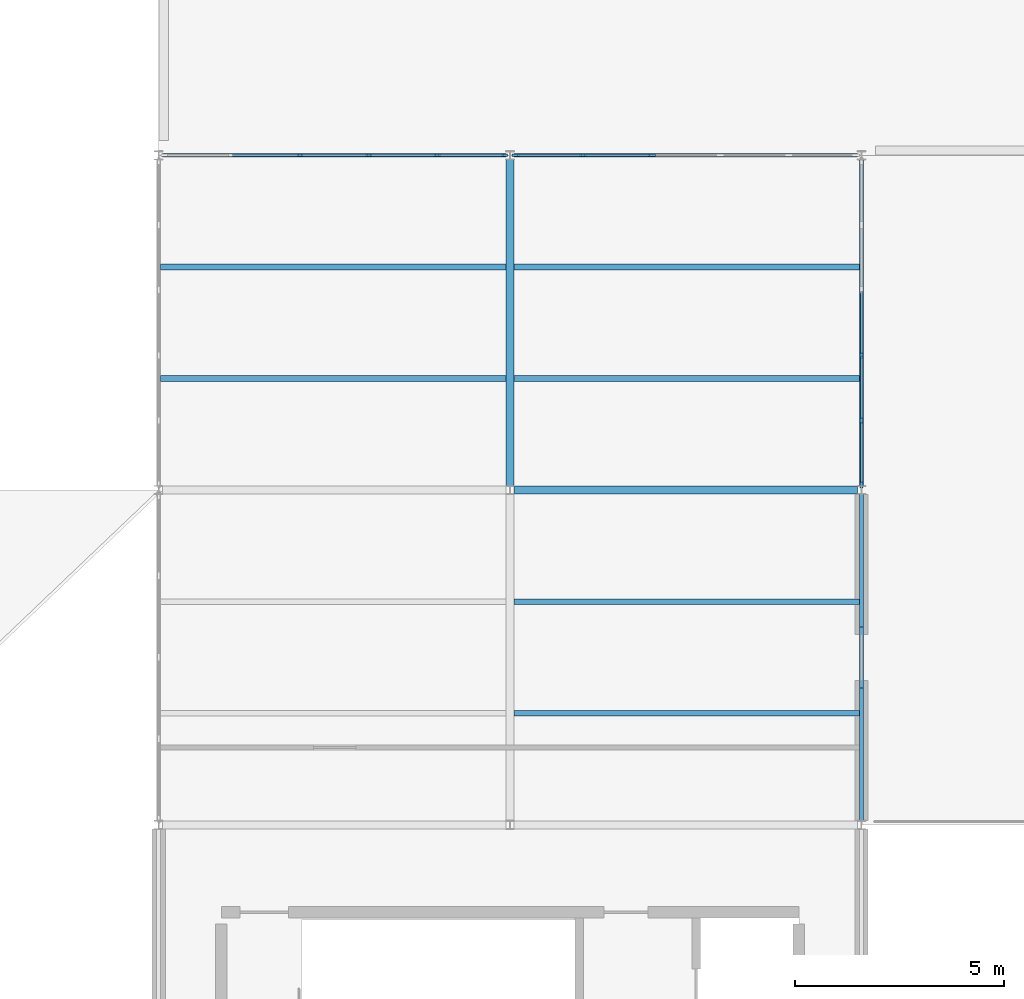
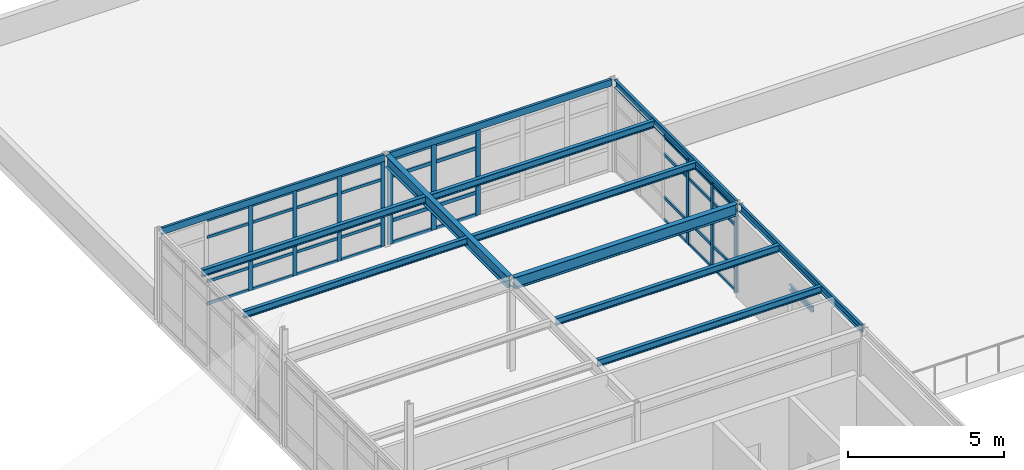
# One storey, part 17 of 32: 46 members, 13 beams, 3 elements without a shape of their own.
"""IFC4 building model written with IfcOpenShell, lengths in metres."""

from ifc_helpers import new_model, si_unit, direction, frame, origin, origin_2d, place, context, subcontext, project, spatial, rectangle, i_section, u_section, extrude, material, layer, layer_set, material_profile, profile_set, type_object, element, aggregate, save


model = new_model("IFC4")

# Units and contexts
model_context = context("Model", 3, precision=1e-05, world=origin(), true_north=direction((0.0, 1.0)))
body_context = subcontext(model_context, "Body", "Model", "MODEL_VIEW")
ifc_project = project(units=[si_unit("LENGTHUNIT", "METRE"), si_unit("AREAUNIT", "SQUARE_METRE"), si_unit("VOLUMEUNIT", "CUBIC_METRE"), si_unit("PLANEANGLEUNIT", "RADIAN"), si_unit("MASSUNIT", "GRAM", prefix="KILO")], contexts=[model_context])

# Site, building, storey
site_placement = place(None, origin())
site = spatial("IfcSite", under=ifc_project, at=site_placement, CompositionType="ELEMENT")
building_placement = place(site_placement, origin())
building = spatial("IfcBuilding", under=site, at=building_placement, Name="Kranzveld Transit Interchange", CompositionType="ELEMENT")
storey_placement = place(building_placement, frame((0.0, 0.0, 17.199951171875)))
storey = spatial("IfcBuildingStorey", under=building, at=storey_placement, Name="L04", CompositionType="ELEMENT", Elevation=17.199951171875)

# Beams
ifc_material_1 = material(Name="Steel S355JR", Category="steel")
ifc_material_profile_1 = material_profile(ifc_material_1, i_section(OverallWidth=0.18994140625, OverallDepth=0.453369140625, WebThickness=0.008544921875, FlangeThickness=0.0126953125, FilletRadius=0.01025390625, at=origin_2d()), Name="UB 457x191x67")
ifc_profile_set_1 = profile_set([ifc_material_profile_1], Name="Steel S355JR")
beam_type_1 = type_object("IfcBeamType", Name="Beam Steel UB 457x191x67 S355JR", PredefinedType="BEAM", material=ifc_profile_set_1)
beam_1_placement = place(storey_placement, frame((109.29296875, 88.0, 3.36328125), z_axis=(1.0, 0.0, 0.0), x_axis=(0.0, 1.0, 0.0)))
element("IfcBeam", 1, at=beam_1_placement, inside=storey, type_object=beam_type_1, Name="L04 Girder 14-15/M", PredefinedType="BEAM", context=body_context, shape_type="SweptSolid", body=[
    extrude(i_section(OverallWidth=0.18994140625, OverallDepth=0.453369140625, WebThickness=0.008544921875, FlangeThickness=0.0126953125, FilletRadius=0.01025390625, at=origin_2d()), origin(), (0.0, 0.0, 1.0), 8.214111328125),
])
beam_2_placement = place(storey_placement, frame((109.199951171875, 88.0947265625, 3.36328125), z_axis=(0.0, 1.0, 0.0), x_axis=(-1.0, 0.0, 0.0)))
element("IfcBeam", 2, at=beam_2_placement, inside=storey, type_object=beam_type_1, Name="L04 Girder 14/M-N", PredefinedType="BEAM", context=body_context, shape_type="SweptSolid", body=[
    extrude(i_section(OverallWidth=0.18994140625, OverallDepth=0.453369140625, WebThickness=0.008544921875, FlangeThickness=0.0126953125, FilletRadius=0.01025390625, at=origin_2d()), origin(), (0.0, 0.0, 1.0), 7.810546875),
])

# Curtain wall, members
ifc_material_2 = material(Name="Bronze-anodised thermally broken aluminium", Category="aluminium")
ifc_layer_1 = layer(ifc_material_2, 0.14990234375)
ifc_layer_set_1 = layer_set([ifc_layer_1], Name="Bronze-anodised thermally broken aluminium")
curtain_wall_type_1 = type_object("IfcCurtainWallType", Name="Public Passage Clerestory Screen CW-4", PredefinedType="USERDEFINED", material=ifc_layer_set_1)
curtain_wall_1_placement = place(storey_placement, origin())
curtain_wall_1 = element("IfcCurtainWall", 3, at=curtain_wall_1_placement, inside=storey, type_object=curtain_wall_type_1, Name="L04 Curtain Wall 13/N-14/N", ObjectType="CURTAIN WALL", PredefinedType="USERDEFINED")
ifc_material_3 = material(Name="Bronze-anodised thermally broken aluminium", Category="aluminium")
ifc_material_profile_2 = material_profile(ifc_material_3, rectangle(XDim=0.06005859375, YDim=0.14990234375, at=origin_2d()), Name="ALU MULLION 60x150")
ifc_profile_set_2 = profile_set([ifc_material_profile_2], Name="Bronze-anodised thermally broken aluminium")
member_type_1 = type_object("IfcMemberType", Name="Curtain Wall Mullion 60x150 Alu", PredefinedType="MULLION", material=ifc_profile_set_2)
member_1_placement = place(storey_placement, frame((104.1806640625, 96.0, 0.0), z_axis=(0.0, 0.0, 1.0), x_axis=(0.0, 1.0, 0.0)))
member_1 = element("IfcMember", 4, at=member_1_placement, type_object=member_type_1, Name="CW-4 mullion 3", PredefinedType="MULLION", context=body_context, shape_type="SweptSolid", body=[
    extrude(rectangle(XDim=0.06005859375, YDim=0.14990234375, at=origin_2d()), origin(), (0.0, 0.0, 1.0), 3.330078125),
])
member_2_placement = place(storey_placement, frame((105.8193359375, 96.0, 0.0), z_axis=(0.0, 0.0, 1.0), x_axis=(0.0, 1.0, 0.0)))
member_2 = element("IfcMember", 5, at=member_2_placement, type_object=member_type_1, Name="CW-4 mullion 4", PredefinedType="MULLION", context=body_context, shape_type="SweptSolid", body=[
    extrude(rectangle(XDim=0.06005859375, YDim=0.14990234375, at=origin_2d()), origin(), (0.0, 0.0, 1.0), 3.330078125),
])
member_3_placement = place(storey_placement, frame((107.458251953125, 96.0, 0.0), z_axis=(0.0, 0.0, 1.0), x_axis=(0.0, 1.0, 0.0)))
member_3 = element("IfcMember", 6, at=member_3_placement, type_object=member_type_1, Name="CW-4 mullion 5", PredefinedType="MULLION", context=body_context, shape_type="SweptSolid", body=[
    extrude(rectangle(XDim=0.06005859375, YDim=0.14990234375, at=origin_2d()), origin(), (0.0, 0.0, 1.0), 3.330078125),
])
member_4_placement = place(storey_placement, frame((109.067138671875, 96.0, 0.0), z_axis=(0.0, 0.0, 1.0), x_axis=(0.0, 1.0, 0.0)))
member_4 = element("IfcMember", 7, at=member_4_placement, type_object=member_type_1, Name="CW-4 mullion 6", PredefinedType="MULLION", context=body_context, shape_type="SweptSolid", body=[
    extrude(rectangle(XDim=0.06005859375, YDim=0.14990234375, at=origin_2d()), origin(), (0.0, 0.0, 1.0), 3.330078125),
])

ifc_material_4 = material(Name="Bronze-anodised thermally broken aluminium", Category="aluminium")
ifc_layer_2 = layer(ifc_material_4, 0.155029296875)
ifc_layer_set_2 = layer_set([ifc_layer_2], Name="Bronze-anodised thermally broken aluminium")
curtain_wall_type_2 = type_object("IfcCurtainWallType", Name="Operations Courtyard Glazed Screen CW-6", PredefinedType="USERDEFINED", material=ifc_layer_set_2)
curtain_wall_2_placement = place(storey_placement, origin())
curtain_wall_2 = element("IfcCurtainWall", 8, at=curtain_wall_2_placement, inside=storey, type_object=curtain_wall_type_2, Name="L04 Curtain Wall 15/M-15/N", ObjectType="CURTAIN WALL", PredefinedType="USERDEFINED")
ifc_material_5 = material(Name="Bronze-anodised thermally broken aluminium", Category="aluminium")
ifc_material_profile_3 = material_profile(ifc_material_5, rectangle(XDim=0.06494140625, YDim=0.1650390625, at=origin_2d()), Name="ALU MULLION 65x165")
ifc_profile_set_3 = profile_set([ifc_material_profile_3], Name="Bronze-anodised thermally broken aluminium")
member_type_2 = type_object("IfcMemberType", Name="Curtain Wall Mullion 65x165 Alu", PredefinedType="MULLION", material=ifc_profile_set_3)
member_5_placement = place(storey_placement, frame((117.60009765625, 88.13720703125, 0.0), z_axis=(0.0, 0.0, 1.0), x_axis=(-1.0, 0.0, 0.0)))
member_5 = element("IfcMember", 9, at=member_5_placement, type_object=member_type_2, Name="CW-6 mullion 1", PredefinedType="MULLION", context=body_context, shape_type="SweptSolid", body=[
    extrude(rectangle(XDim=0.06494140625, YDim=0.1650390625, at=origin_2d()), origin(), (0.0, 0.0, 1.0), 3.2900390625),
])
member_6_placement = place(storey_placement, frame((117.60009765625, 89.662841796875, 0.0), z_axis=(0.0, 0.0, 1.0), x_axis=(-1.0, 0.0, 0.0)))
member_6 = element("IfcMember", 10, at=member_6_placement, type_object=member_type_2, Name="CW-6 mullion 2", PredefinedType="MULLION", context=body_context, shape_type="SweptSolid", body=[
    extrude(rectangle(XDim=0.06494140625, YDim=0.1650390625, at=origin_2d()), origin(), (0.0, 0.0, 1.0), 3.2900390625),
])
member_7_placement = place(storey_placement, frame((117.60009765625, 91.220947265625, 0.0), z_axis=(0.0, 0.0, 1.0), x_axis=(-1.0, 0.0, 0.0)))
member_7 = element("IfcMember", 11, at=member_7_placement, type_object=member_type_2, Name="CW-6 mullion 3", PredefinedType="MULLION", context=body_context, shape_type="SweptSolid", body=[
    extrude(rectangle(XDim=0.06494140625, YDim=0.1650390625, at=origin_2d()), origin(), (0.0, 0.0, 1.0), 3.2900390625),
])

ifc_material_6 = material(Name="Bronze-anodised thermally broken aluminium", Category="aluminium")
ifc_layer_3 = layer(ifc_material_6, 0.18505859375)
ifc_layer_set_3 = layer_set([ifc_layer_3], Name="Bronze-anodised thermally broken aluminium")
curtain_wall_type_3 = type_object("IfcCurtainWallType", Name="Control Crown Observation Facade CW-5", PredefinedType="USERDEFINED", material=ifc_layer_set_3)
curtain_wall_3_placement = place(storey_placement, origin())
curtain_wall_3 = element("IfcCurtainWall", 12, at=curtain_wall_3_placement, inside=storey, type_object=curtain_wall_type_3, Name="L04 Curtain Wall 14/N-15/N", ObjectType="CURTAIN WALL", PredefinedType="USERDEFINED")
ifc_material_7 = material(Name="Bronze-anodised thermally broken aluminium", Category="aluminium")
ifc_material_profile_4 = material_profile(ifc_material_7, rectangle(XDim=0.06494140625, YDim=0.179931640625, at=origin_2d()), Name="ALU MULLION 65x180")
ifc_profile_set_4 = profile_set([ifc_material_profile_4], Name="Bronze-anodised thermally broken aluminium")
member_type_3 = type_object("IfcMemberType", Name="Curtain Wall Mullion 65x180 Alu", PredefinedType="MULLION", material=ifc_profile_set_4)
member_8_placement = place(storey_placement, frame((109.33544921875, 96.0, 0.0), z_axis=(0.0, 0.0, 1.0), x_axis=(0.0, 1.0, 0.0)))
member_8 = element("IfcMember", 13, at=member_8_placement, type_object=member_type_3, Name="CW-5 mullion 1", PredefinedType="MULLION", context=body_context, shape_type="SweptSolid", body=[
    extrude(rectangle(XDim=0.06494140625, YDim=0.179931640625, at=origin_2d()), origin(), (0.0, 0.0, 1.0), 3.330078125),
])
member_9_placement = place(storey_placement, frame((110.941650390625, 96.0, 0.0), z_axis=(0.0, 0.0, 1.0), x_axis=(0.0, 1.0, 0.0)))
member_9 = element("IfcMember", 14, at=member_9_placement, type_object=member_type_3, Name="CW-5 mullion 2", PredefinedType="MULLION", context=body_context, shape_type="SweptSolid", body=[
    extrude(rectangle(XDim=0.06494140625, YDim=0.179931640625, at=origin_2d()), origin(), (0.0, 0.0, 1.0), 3.330078125),
])
member_10_placement = place(storey_placement, frame((112.58056640625, 96.0, 0.0), z_axis=(0.0, 0.0, 1.0), x_axis=(0.0, 1.0, 0.0)))
member_10 = element("IfcMember", 15, at=member_10_placement, type_object=member_type_3, Name="CW-5 mullion 3", PredefinedType="MULLION", context=body_context, shape_type="SweptSolid", body=[
    extrude(rectangle(XDim=0.06494140625, YDim=0.179931640625, at=origin_2d()), origin(), (0.0, 0.0, 1.0), 3.330078125),
])

# Member
ifc_material_8 = material(Name="Bronze-anodised thermally broken aluminium", Category="aluminium")
ifc_material_profile_5 = material_profile(ifc_material_8, rectangle(XDim=0.06005859375, YDim=0.110107421875, at=origin_2d()), Name="ALU TRANSOM 60x110")
ifc_profile_set_5 = profile_set([ifc_material_profile_5], Name="Bronze-anodised thermally broken aluminium")
member_type_4 = type_object("IfcMemberType", Name="Curtain Wall Transom 60x110 Alu", PredefinedType="USERDEFINED", material=ifc_profile_set_5)
member_11_placement = place(storey_placement, frame((102.57177734375, 96.0, 0.030029296875), z_axis=(1.0, 0.0, 0.0), x_axis=(0.0, 1.0, 0.0)))
member_11 = element("IfcMember", 16, at=member_11_placement, type_object=member_type_4, Name="CW-4 transom 2.1", ObjectType="TRANSOM", PredefinedType="USERDEFINED", context=body_context, shape_type="SweptSolid", body=[
    extrude(rectangle(XDim=0.06005859375, YDim=0.110107421875, at=origin_2d()), origin(), (0.0, 0.0, 1.0), 1.578857421875),
])

member_12_placement = place(storey_placement, frame((102.57177734375, 96.0, 0.900146484375), z_axis=(1.0, 0.0, 0.0), x_axis=(0.0, 1.0, 0.0)))
member_12 = element("IfcMember", 17, at=member_12_placement, type_object=member_type_4, Name="CW-4 transom 2.2", ObjectType="TRANSOM", PredefinedType="USERDEFINED", context=body_context, shape_type="SweptSolid", body=[
    extrude(rectangle(XDim=0.06005859375, YDim=0.110107421875, at=origin_2d()), origin(), (0.0, 0.0, 1.0), 1.578857421875),
])

member_13_placement = place(storey_placement, frame((102.57177734375, 96.0, 2.630126953125), z_axis=(1.0, 0.0, 0.0), x_axis=(0.0, 1.0, 0.0)))
member_13 = element("IfcMember", 18, at=member_13_placement, type_object=member_type_4, Name="CW-4 transom 2.3", ObjectType="TRANSOM", PredefinedType="USERDEFINED", context=body_context, shape_type="SweptSolid", body=[
    extrude(rectangle(XDim=0.06005859375, YDim=0.110107421875, at=origin_2d()), origin(), (0.0, 0.0, 1.0), 1.578857421875),
])

member_14_placement = place(storey_placement, frame((102.57177734375, 96.0, 3.300048828125), z_axis=(1.0, 0.0, 0.0), x_axis=(0.0, 1.0, 0.0)))
member_14 = element("IfcMember", 19, at=member_14_placement, type_object=member_type_4, Name="CW-4 transom 2.4", ObjectType="TRANSOM", PredefinedType="USERDEFINED", context=body_context, shape_type="SweptSolid", body=[
    extrude(rectangle(XDim=0.06005859375, YDim=0.110107421875, at=origin_2d()), origin(), (0.0, 0.0, 1.0), 1.578857421875),
])

member_15_placement = place(storey_placement, frame((104.210693359375, 96.0, 0.030029296875), z_axis=(1.0, 0.0, 0.0), x_axis=(0.0, 1.0, 0.0)))
member_15 = element("IfcMember", 20, at=member_15_placement, type_object=member_type_4, Name="CW-4 transom 3.1", ObjectType="TRANSOM", PredefinedType="USERDEFINED", context=body_context, shape_type="SweptSolid", body=[
    extrude(rectangle(XDim=0.06005859375, YDim=0.110107421875, at=origin_2d()), origin(), (0.0, 0.0, 1.0), 1.57861328125),
])

member_16_placement = place(storey_placement, frame((104.210693359375, 96.0, 0.900146484375), z_axis=(1.0, 0.0, 0.0), x_axis=(0.0, 1.0, 0.0)))
member_16 = element("IfcMember", 21, at=member_16_placement, type_object=member_type_4, Name="CW-4 transom 3.2", ObjectType="TRANSOM", PredefinedType="USERDEFINED", context=body_context, shape_type="SweptSolid", body=[
    extrude(rectangle(XDim=0.06005859375, YDim=0.110107421875, at=origin_2d()), origin(), (0.0, 0.0, 1.0), 1.57861328125),
])

member_17_placement = place(storey_placement, frame((104.210693359375, 96.0, 2.630126953125), z_axis=(1.0, 0.0, 0.0), x_axis=(0.0, 1.0, 0.0)))
member_17 = element("IfcMember", 22, at=member_17_placement, type_object=member_type_4, Name="CW-4 transom 3.3", ObjectType="TRANSOM", PredefinedType="USERDEFINED", context=body_context, shape_type="SweptSolid", body=[
    extrude(rectangle(XDim=0.06005859375, YDim=0.110107421875, at=origin_2d()), origin(), (0.0, 0.0, 1.0), 1.57861328125),
])

member_18_placement = place(storey_placement, frame((104.210693359375, 96.0, 3.300048828125), z_axis=(1.0, 0.0, 0.0), x_axis=(0.0, 1.0, 0.0)))
member_18 = element("IfcMember", 23, at=member_18_placement, type_object=member_type_4, Name="CW-4 transom 3.4", ObjectType="TRANSOM", PredefinedType="USERDEFINED", context=body_context, shape_type="SweptSolid", body=[
    extrude(rectangle(XDim=0.06005859375, YDim=0.110107421875, at=origin_2d()), origin(), (0.0, 0.0, 1.0), 1.57861328125),
])

member_19_placement = place(storey_placement, frame((105.849365234375, 96.0, 0.030029296875), z_axis=(1.0, 0.0, 0.0), x_axis=(0.0, 1.0, 0.0)))
member_19 = element("IfcMember", 24, at=member_19_placement, type_object=member_type_4, Name="CW-4 transom 4.1", ObjectType="TRANSOM", PredefinedType="USERDEFINED", context=body_context, shape_type="SweptSolid", body=[
    extrude(rectangle(XDim=0.06005859375, YDim=0.110107421875, at=origin_2d()), origin(), (0.0, 0.0, 1.0), 1.578857421875),
])

member_20_placement = place(storey_placement, frame((105.849365234375, 96.0, 0.900146484375), z_axis=(1.0, 0.0, 0.0), x_axis=(0.0, 1.0, 0.0)))
member_20 = element("IfcMember", 25, at=member_20_placement, type_object=member_type_4, Name="CW-4 transom 4.2", ObjectType="TRANSOM", PredefinedType="USERDEFINED", context=body_context, shape_type="SweptSolid", body=[
    extrude(rectangle(XDim=0.06005859375, YDim=0.110107421875, at=origin_2d()), origin(), (0.0, 0.0, 1.0), 1.578857421875),
])

member_21_placement = place(storey_placement, frame((105.849365234375, 96.0, 2.630126953125), z_axis=(1.0, 0.0, 0.0), x_axis=(0.0, 1.0, 0.0)))
member_21 = element("IfcMember", 26, at=member_21_placement, type_object=member_type_4, Name="CW-4 transom 4.3", ObjectType="TRANSOM", PredefinedType="USERDEFINED", context=body_context, shape_type="SweptSolid", body=[
    extrude(rectangle(XDim=0.06005859375, YDim=0.110107421875, at=origin_2d()), origin(), (0.0, 0.0, 1.0), 1.578857421875),
])

member_22_placement = place(storey_placement, frame((105.849365234375, 96.0, 3.300048828125), z_axis=(1.0, 0.0, 0.0), x_axis=(0.0, 1.0, 0.0)))
member_22 = element("IfcMember", 27, at=member_22_placement, type_object=member_type_4, Name="CW-4 transom 4.4", ObjectType="TRANSOM", PredefinedType="USERDEFINED", context=body_context, shape_type="SweptSolid", body=[
    extrude(rectangle(XDim=0.06005859375, YDim=0.110107421875, at=origin_2d()), origin(), (0.0, 0.0, 1.0), 1.578857421875),
])

member_23_placement = place(storey_placement, frame((107.48828125, 96.0, 0.030029296875), z_axis=(1.0, 0.0, 0.0), x_axis=(0.0, 1.0, 0.0)))
member_23 = element("IfcMember", 28, at=member_23_placement, type_object=member_type_4, Name="CW-4 transom 5.1", ObjectType="TRANSOM", PredefinedType="USERDEFINED", context=body_context, shape_type="SweptSolid", body=[
    extrude(rectangle(XDim=0.06005859375, YDim=0.110107421875, at=origin_2d()), origin(), (0.0, 0.0, 1.0), 1.548828125),
])

member_24_placement = place(storey_placement, frame((107.48828125, 96.0, 0.900146484375), z_axis=(1.0, 0.0, 0.0), x_axis=(0.0, 1.0, 0.0)))
member_24 = element("IfcMember", 29, at=member_24_placement, type_object=member_type_4, Name="CW-4 transom 5.2", ObjectType="TRANSOM", PredefinedType="USERDEFINED", context=body_context, shape_type="SweptSolid", body=[
    extrude(rectangle(XDim=0.06005859375, YDim=0.110107421875, at=origin_2d()), origin(), (0.0, 0.0, 1.0), 1.548828125),
])

member_25_placement = place(storey_placement, frame((107.48828125, 96.0, 2.630126953125), z_axis=(1.0, 0.0, 0.0), x_axis=(0.0, 1.0, 0.0)))
member_25 = element("IfcMember", 30, at=member_25_placement, type_object=member_type_4, Name="CW-4 transom 5.3", ObjectType="TRANSOM", PredefinedType="USERDEFINED", context=body_context, shape_type="SweptSolid", body=[
    extrude(rectangle(XDim=0.06005859375, YDim=0.110107421875, at=origin_2d()), origin(), (0.0, 0.0, 1.0), 1.548828125),
])

member_26_placement = place(storey_placement, frame((107.48828125, 96.0, 3.300048828125), z_axis=(1.0, 0.0, 0.0), x_axis=(0.0, 1.0, 0.0)))
member_26 = element("IfcMember", 31, at=member_26_placement, type_object=member_type_4, Name="CW-4 transom 5.4", ObjectType="TRANSOM", PredefinedType="USERDEFINED", context=body_context, shape_type="SweptSolid", body=[
    extrude(rectangle(XDim=0.06005859375, YDim=0.110107421875, at=origin_2d()), origin(), (0.0, 0.0, 1.0), 1.548828125),
])

aggregate(curtain_wall_1, [member_1, member_2, member_3, member_4, member_11, member_12, member_13, member_14, member_15, member_16, member_17, member_18, member_19, member_20, member_21, member_22, member_23, member_24, member_25, member_26])

ifc_material_9 = material(Name="Bronze-anodised thermally broken aluminium", Category="aluminium")
ifc_material_profile_6 = material_profile(ifc_material_9, rectangle(XDim=0.06005859375, YDim=0.125, at=origin_2d()), Name="ALU TRANSOM 60x125")
ifc_profile_set_6 = profile_set([ifc_material_profile_6], Name="Bronze-anodised thermally broken aluminium")
member_type_5 = type_object("IfcMemberType", Name="Curtain Wall Transom 60x125 Alu", PredefinedType="USERDEFINED", material=ifc_profile_set_6)
member_27_placement = place(storey_placement, frame((117.60009765625, 88.169921875, 0.030029296875), z_axis=(0.0, 1.0, 0.0), x_axis=(-1.0, 0.0, 0.0)))
member_27 = element("IfcMember", 32, at=member_27_placement, type_object=member_type_5, Name="CW-6 transom 1.1", ObjectType="TRANSOM", PredefinedType="USERDEFINED", context=body_context, shape_type="SweptSolid", body=[
    extrude(rectangle(XDim=0.06005859375, YDim=0.125, at=origin_2d()), origin(), (0.0, 0.0, 1.0), 1.46044921875),
])

member_28_placement = place(storey_placement, frame((117.60009765625, 88.169921875, 0.900146484375), z_axis=(0.0, 1.0, 0.0), x_axis=(-1.0, 0.0, 0.0)))
member_28 = element("IfcMember", 33, at=member_28_placement, type_object=member_type_5, Name="CW-6 transom 1.2", ObjectType="TRANSOM", PredefinedType="USERDEFINED", context=body_context, shape_type="SweptSolid", body=[
    extrude(rectangle(XDim=0.06005859375, YDim=0.125, at=origin_2d()), origin(), (0.0, 0.0, 1.0), 1.46044921875),
])

member_29_placement = place(storey_placement, frame((117.60009765625, 88.169921875, 2.590087890625), z_axis=(0.0, 1.0, 0.0), x_axis=(-1.0, 0.0, 0.0)))
member_29 = element("IfcMember", 34, at=member_29_placement, type_object=member_type_5, Name="CW-6 transom 1.3", ObjectType="TRANSOM", PredefinedType="USERDEFINED", context=body_context, shape_type="SweptSolid", body=[
    extrude(rectangle(XDim=0.06005859375, YDim=0.125, at=origin_2d()), origin(), (0.0, 0.0, 1.0), 1.46044921875),
])

member_30_placement = place(storey_placement, frame((117.60009765625, 88.169921875, 3.260009765625), z_axis=(0.0, 1.0, 0.0), x_axis=(-1.0, 0.0, 0.0)))
member_30 = element("IfcMember", 35, at=member_30_placement, type_object=member_type_5, Name="CW-6 transom 1.4", ObjectType="TRANSOM", PredefinedType="USERDEFINED", context=body_context, shape_type="SweptSolid", body=[
    extrude(rectangle(XDim=0.06005859375, YDim=0.125, at=origin_2d()), origin(), (0.0, 0.0, 1.0), 1.46044921875),
])

member_31_placement = place(storey_placement, frame((117.60009765625, 89.6953125, 0.030029296875), z_axis=(0.0, 1.0, 0.0), x_axis=(-1.0, 0.0, 0.0)))
member_31 = element("IfcMember", 36, at=member_31_placement, type_object=member_type_5, Name="CW-6 transom 2.1", ObjectType="TRANSOM", PredefinedType="USERDEFINED", context=body_context, shape_type="SweptSolid", body=[
    extrude(rectangle(XDim=0.06005859375, YDim=0.125, at=origin_2d()), origin(), (0.0, 0.0, 1.0), 1.4931640625),
])

member_32_placement = place(storey_placement, frame((117.60009765625, 89.6953125, 0.900146484375), z_axis=(0.0, 1.0, 0.0), x_axis=(-1.0, 0.0, 0.0)))
member_32 = element("IfcMember", 37, at=member_32_placement, type_object=member_type_5, Name="CW-6 transom 2.2", ObjectType="TRANSOM", PredefinedType="USERDEFINED", context=body_context, shape_type="SweptSolid", body=[
    extrude(rectangle(XDim=0.06005859375, YDim=0.125, at=origin_2d()), origin(), (0.0, 0.0, 1.0), 1.4931640625),
])

member_33_placement = place(storey_placement, frame((117.60009765625, 89.6953125, 2.590087890625), z_axis=(0.0, 1.0, 0.0), x_axis=(-1.0, 0.0, 0.0)))
member_33 = element("IfcMember", 38, at=member_33_placement, type_object=member_type_5, Name="CW-6 transom 2.3", ObjectType="TRANSOM", PredefinedType="USERDEFINED", context=body_context, shape_type="SweptSolid", body=[
    extrude(rectangle(XDim=0.06005859375, YDim=0.125, at=origin_2d()), origin(), (0.0, 0.0, 1.0), 1.4931640625),
])

member_34_placement = place(storey_placement, frame((117.60009765625, 89.6953125, 3.260009765625), z_axis=(0.0, 1.0, 0.0), x_axis=(-1.0, 0.0, 0.0)))
member_34 = element("IfcMember", 39, at=member_34_placement, type_object=member_type_5, Name="CW-6 transom 2.4", ObjectType="TRANSOM", PredefinedType="USERDEFINED", context=body_context, shape_type="SweptSolid", body=[
    extrude(rectangle(XDim=0.06005859375, YDim=0.125, at=origin_2d()), origin(), (0.0, 0.0, 1.0), 1.4931640625),
])

member_35_placement = place(storey_placement, frame((117.60009765625, 91.25341796875, 0.030029296875), z_axis=(0.0, 1.0, 0.0), x_axis=(-1.0, 0.0, 0.0)))
member_35 = element("IfcMember", 40, at=member_35_placement, type_object=member_type_5, Name="CW-6 transom 3.1", ObjectType="TRANSOM", PredefinedType="USERDEFINED", context=body_context, shape_type="SweptSolid", body=[
    extrude(rectangle(XDim=0.06005859375, YDim=0.125, at=origin_2d()), origin(), (0.0, 0.0, 1.0), 1.4931640625),
])

member_36_placement = place(storey_placement, frame((117.60009765625, 91.25341796875, 0.900146484375), z_axis=(0.0, 1.0, 0.0), x_axis=(-1.0, 0.0, 0.0)))
member_36 = element("IfcMember", 41, at=member_36_placement, type_object=member_type_5, Name="CW-6 transom 3.2", ObjectType="TRANSOM", PredefinedType="USERDEFINED", context=body_context, shape_type="SweptSolid", body=[
    extrude(rectangle(XDim=0.06005859375, YDim=0.125, at=origin_2d()), origin(), (0.0, 0.0, 1.0), 1.4931640625),
])

member_37_placement = place(storey_placement, frame((117.60009765625, 91.25341796875, 2.590087890625), z_axis=(0.0, 1.0, 0.0), x_axis=(-1.0, 0.0, 0.0)))
member_37 = element("IfcMember", 42, at=member_37_placement, type_object=member_type_5, Name="CW-6 transom 3.3", ObjectType="TRANSOM", PredefinedType="USERDEFINED", context=body_context, shape_type="SweptSolid", body=[
    extrude(rectangle(XDim=0.06005859375, YDim=0.125, at=origin_2d()), origin(), (0.0, 0.0, 1.0), 1.4931640625),
])

member_38_placement = place(storey_placement, frame((117.60009765625, 91.25341796875, 3.260009765625), z_axis=(0.0, 1.0, 0.0), x_axis=(-1.0, 0.0, 0.0)))
member_38 = element("IfcMember", 43, at=member_38_placement, type_object=member_type_5, Name="CW-6 transom 3.4", ObjectType="TRANSOM", PredefinedType="USERDEFINED", context=body_context, shape_type="SweptSolid", body=[
    extrude(rectangle(XDim=0.06005859375, YDim=0.125, at=origin_2d()), origin(), (0.0, 0.0, 1.0), 1.4931640625),
])

aggregate(curtain_wall_2, [member_5, member_6, member_7, member_27, member_28, member_29, member_30, member_31, member_32, member_33, member_34, member_35, member_36, member_37, member_38])

ifc_material_10 = material(Name="Bronze-anodised thermally broken aluminium", Category="aluminium")
ifc_material_profile_7 = material_profile(ifc_material_10, rectangle(XDim=0.06494140625, YDim=0.139892578125, at=origin_2d()), Name="ALU TRANSOM 65x140")
ifc_profile_set_7 = profile_set([ifc_material_profile_7], Name="Bronze-anodised thermally broken aluminium")
member_type_6 = type_object("IfcMemberType", Name="Curtain Wall Transom 65x140 Alu", PredefinedType="USERDEFINED", material=ifc_profile_set_7)
member_39_placement = place(storey_placement, frame((109.367919921875, 96.0, 0.032470703125), z_axis=(1.0, 0.0, 0.0), x_axis=(0.0, 1.0, 0.0)))
member_39 = element("IfcMember", 44, at=member_39_placement, type_object=member_type_6, Name="CW-5 transom 1.1", ObjectType="TRANSOM", PredefinedType="USERDEFINED", context=body_context, shape_type="SweptSolid", body=[
    extrude(rectangle(XDim=0.06494140625, YDim=0.139892578125, at=origin_2d()), origin(), (0.0, 0.0, 1.0), 1.541259765625),
])

member_40_placement = place(storey_placement, frame((109.367919921875, 96.0, 0.900146484375), z_axis=(1.0, 0.0, 0.0), x_axis=(0.0, 1.0, 0.0)))
member_40 = element("IfcMember", 45, at=member_40_placement, type_object=member_type_6, Name="CW-5 transom 1.2", ObjectType="TRANSOM", PredefinedType="USERDEFINED", context=body_context, shape_type="SweptSolid", body=[
    extrude(rectangle(XDim=0.06494140625, YDim=0.139892578125, at=origin_2d()), origin(), (0.0, 0.0, 1.0), 1.541259765625),
])

member_41_placement = place(storey_placement, frame((109.367919921875, 96.0, 2.630126953125), z_axis=(1.0, 0.0, 0.0), x_axis=(0.0, 1.0, 0.0)))
member_41 = element("IfcMember", 46, at=member_41_placement, type_object=member_type_6, Name="CW-5 transom 1.3", ObjectType="TRANSOM", PredefinedType="USERDEFINED", context=body_context, shape_type="SweptSolid", body=[
    extrude(rectangle(XDim=0.06494140625, YDim=0.139892578125, at=origin_2d()), origin(), (0.0, 0.0, 1.0), 1.541259765625),
])

member_42_placement = place(storey_placement, frame((109.367919921875, 96.0, 3.297607421875), z_axis=(1.0, 0.0, 0.0), x_axis=(0.0, 1.0, 0.0)))
member_42 = element("IfcMember", 47, at=member_42_placement, type_object=member_type_6, Name="CW-5 transom 1.4", ObjectType="TRANSOM", PredefinedType="USERDEFINED", context=body_context, shape_type="SweptSolid", body=[
    extrude(rectangle(XDim=0.06494140625, YDim=0.139892578125, at=origin_2d()), origin(), (0.0, 0.0, 1.0), 1.541259765625),
])

member_43_placement = place(storey_placement, frame((110.97412109375, 96.0, 0.032470703125), z_axis=(1.0, 0.0, 0.0), x_axis=(0.0, 1.0, 0.0)))
member_43 = element("IfcMember", 48, at=member_43_placement, type_object=member_type_6, Name="CW-5 transom 2.1", ObjectType="TRANSOM", PredefinedType="USERDEFINED", context=body_context, shape_type="SweptSolid", body=[
    extrude(rectangle(XDim=0.06494140625, YDim=0.139892578125, at=origin_2d()), origin(), (0.0, 0.0, 1.0), 1.573974609375),
])

member_44_placement = place(storey_placement, frame((110.97412109375, 96.0, 0.900146484375), z_axis=(1.0, 0.0, 0.0), x_axis=(0.0, 1.0, 0.0)))
member_44 = element("IfcMember", 49, at=member_44_placement, type_object=member_type_6, Name="CW-5 transom 2.2", ObjectType="TRANSOM", PredefinedType="USERDEFINED", context=body_context, shape_type="SweptSolid", body=[
    extrude(rectangle(XDim=0.06494140625, YDim=0.139892578125, at=origin_2d()), origin(), (0.0, 0.0, 1.0), 1.573974609375),
])

member_45_placement = place(storey_placement, frame((110.97412109375, 96.0, 2.630126953125), z_axis=(1.0, 0.0, 0.0), x_axis=(0.0, 1.0, 0.0)))
member_45 = element("IfcMember", 50, at=member_45_placement, type_object=member_type_6, Name="CW-5 transom 2.3", ObjectType="TRANSOM", PredefinedType="USERDEFINED", context=body_context, shape_type="SweptSolid", body=[
    extrude(rectangle(XDim=0.06494140625, YDim=0.139892578125, at=origin_2d()), origin(), (0.0, 0.0, 1.0), 1.573974609375),
])

member_46_placement = place(storey_placement, frame((110.97412109375, 96.0, 3.297607421875), z_axis=(1.0, 0.0, 0.0), x_axis=(0.0, 1.0, 0.0)))
member_46 = element("IfcMember", 51, at=member_46_placement, type_object=member_type_6, Name="CW-5 transom 2.4", ObjectType="TRANSOM", PredefinedType="USERDEFINED", context=body_context, shape_type="SweptSolid", body=[
    extrude(rectangle(XDim=0.06494140625, YDim=0.139892578125, at=origin_2d()), origin(), (0.0, 0.0, 1.0), 1.573974609375),
])

aggregate(curtain_wall_3, [member_8, member_9, member_10, member_39, member_40, member_41, member_42, member_43, member_44, member_45, member_46])

# Beams
ifc_material_11 = material(Name="Steel S355JR", Category="steel")
ifc_material_profile_8 = material_profile(ifc_material_11, i_section(OverallWidth=0.135009765625, OverallDepth=0.27001953125, WebThickness=0.006591796875, FlangeThickness=0.01025390625, FilletRadius=0.014892578125, at=origin_2d()), Name="IPE 270")
ifc_profile_set_8 = profile_set([ifc_material_profile_8], Name="Steel S355JR")
beam_type_2 = type_object("IfcBeamType", Name="Deck Joist IPE 270 S355JR", PredefinedType="JOIST", material=ifc_profile_set_8)
for number, where, z_axis, x_axis, name in (
    (52, (100.846923828125, 90.666748046875, 3.455078125), (1.0, 0.0, 0.0), (0.0, 1.0, 0.0), "L04 Secondary Joist 13-14/M.1"),
    (53, (100.846923828125, 93.333251953125, 3.455078125), (1.0, 0.0, 0.0), (0.0, 1.0, 0.0), "L04 Secondary Joist 13-14/M.2"),
    (54, (109.296875, 82.666748046875, 3.455078125), (1.0, 0.0, 0.0), (0.0, 1.0, 0.0), "L04 Secondary Joist 14-15/L.1"),
    (55, (109.296875, 85.333251953125, 3.455078125), (1.0, 0.0, 0.0), (0.0, 1.0, 0.0), "L04 Secondary Joist 14-15/L.2"),
    (56, (109.296875, 90.666748046875, 3.455078125), (1.0, 0.0, 0.0), (0.0, 1.0, 0.0), "L04 Secondary Joist 14-15/M.1"),
    (57, (109.296875, 93.333251953125, 3.455078125), (1.0, 0.0, 0.0), (0.0, 1.0, 0.0), "L04 Secondary Joist 14-15/M.2"),
):
    element("IfcBeam", number, at=place(storey_placement, frame(where, z_axis=z_axis, x_axis=x_axis)), inside=storey, type_object=beam_type_2, Name=name, PredefinedType="JOIST", context=body_context, shape_type="SweptSolid", body=[
        extrude(i_section(OverallWidth=0.135009765625, OverallDepth=0.27001953125, WebThickness=0.006591796875, FlangeThickness=0.01025390625, FilletRadius=0.014892578125, at=origin_2d()), origin(), (0.0, 0.0, 1.0), 8.256103515625),
    ])
ifc_material_12 = material(Name="Steel S355JR", Category="steel")
ifc_material_profile_9 = material_profile(ifc_material_12, u_section(Depth=0.260009765625, FlangeWidth=0.090087890625, WebThickness=0.008056640625, FlangeThickness=0.013916015625, FilletRadius=0.011962890625, at=origin_2d()), Name="PFC 260x90x35")
ifc_profile_set_9 = profile_set([ifc_material_profile_9], Name="Steel S355JR")
beam_type_3 = type_object("IfcBeamType", Name="Edge Spandrel PFC 260x90x35 S355JR", PredefinedType="SPANDREL", material=ifc_profile_set_9)
beam_3_placement = place(storey_placement, frame((100.892822265625, 96.0, 3.4599609375), z_axis=(1.0, 0.0, 0.0), x_axis=(0.0, 1.0, 0.0)))
element("IfcBeam", 58, at=beam_3_placement, inside=storey, type_object=beam_type_3, Name="L04 Girder 13-14/N", PredefinedType="SPANDREL", context=body_context, shape_type="SweptSolid", body=[
    extrude(u_section(Depth=0.260009765625, FlangeWidth=0.090087890625, WebThickness=0.008056640625, FlangeThickness=0.013916015625, FilletRadius=0.011962890625, at=origin_2d()), origin(), (0.0, 0.0, 1.0), 8.21435546875),
])
beam_4_placement = place(storey_placement, frame((109.29296875, 96.0, 3.4599609375), z_axis=(1.0, 0.0, 0.0), x_axis=(0.0, 1.0, 0.0)))
element("IfcBeam", 59, at=beam_4_placement, inside=storey, type_object=beam_type_3, Name="L04 Girder 14-15/N", PredefinedType="SPANDREL", context=body_context, shape_type="SweptSolid", body=[
    extrude(u_section(Depth=0.260009765625, FlangeWidth=0.090087890625, WebThickness=0.008056640625, FlangeThickness=0.013916015625, FilletRadius=0.011962890625, at=origin_2d()), origin(), (0.0, 0.0, 1.0), 8.214111328125),
])
ifc_material_13 = material(Name="Steel S355JR", Category="steel")
ifc_material_profile_10 = material_profile(ifc_material_13, u_section(Depth=0.300048828125, FlangeWidth=0.090087890625, WebThickness=0.009033203125, FlangeThickness=0.015380859375, FilletRadius=0.011962890625, at=origin_2d()), Name="PFC 300x90x41")
ifc_profile_set_10 = profile_set([ifc_material_profile_10], Name="Steel S355JR")
beam_type_4 = type_object("IfcBeamType", Name="Edge Spandrel PFC 300x90x41 S355JR", PredefinedType="SPANDREL", material=ifc_profile_set_10)
for number, where, z_axis, x_axis, name in (
    (60, (117.60009765625, 80.0947265625, 3.43994140625), (0.0, 1.0, 0.0), (-1.0, 0.0, 0.0), "L04 Girder 15/L-M"),
    (61, (117.60009765625, 88.0947265625, 3.43994140625), (0.0, 1.0, 0.0), (-1.0, 0.0, 0.0), "L04 Girder 15/M-N"),
):
    element("IfcBeam", number, at=place(storey_placement, frame(where, z_axis=z_axis, x_axis=x_axis)), inside=storey, type_object=beam_type_4, Name=name, PredefinedType="SPANDREL", context=body_context, shape_type="SweptSolid", body=[
        extrude(u_section(Depth=0.300048828125, FlangeWidth=0.090087890625, WebThickness=0.009033203125, FlangeThickness=0.015380859375, FilletRadius=0.011962890625, at=origin_2d()), origin(), (0.0, 0.0, 1.0), 7.810546875),
    ])
ifc_material_14 = material(Name="Steel S355JR", Category="steel")
ifc_material_profile_11 = material_profile(ifc_material_14, u_section(Depth=0.22998046875, FlangeWidth=0.090087890625, WebThickness=0.007568359375, FlangeThickness=0.013916015625, FilletRadius=0.011962890625, at=origin_2d()), Name="PFC 230x90x32")
ifc_profile_set_11 = profile_set([ifc_material_profile_11], Name="Steel S355JR")
beam_type_5 = type_object("IfcBeamType", Name="Masonry Lintel PFC 230x90x32 S355JR", PredefinedType="LINTEL", material=ifc_profile_set_11)
beam_5_placement = place(storey_placement, frame((117.60009765625, 83.27001953125, 2.27001953125), z_axis=(0.0, 1.0, 0.0), x_axis=(-1.0, 0.0, 0.0)))
element("IfcBeam", 62, at=beam_5_placement, inside=storey, type_object=beam_type_5, Name="L04 Exterior Door Lintel 019", PredefinedType="LINTEL", context=body_context, shape_type="SweptSolid", body=[
    extrude(u_section(Depth=0.22998046875, FlangeWidth=0.090087890625, WebThickness=0.007568359375, FlangeThickness=0.013916015625, FilletRadius=0.011962890625, at=origin_2d()), origin(), (0.0, 0.0, 1.0), 1.4599609375),
])

save(model, "model.ifc")
